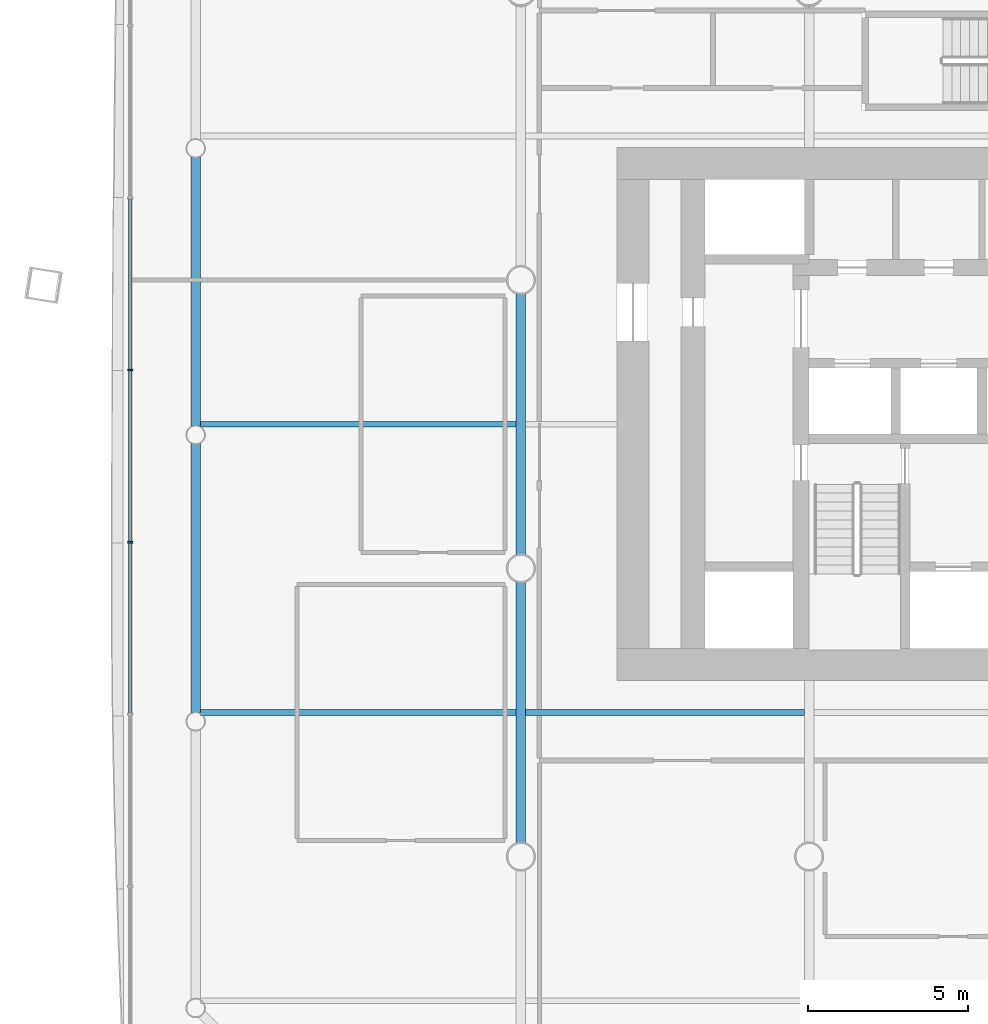
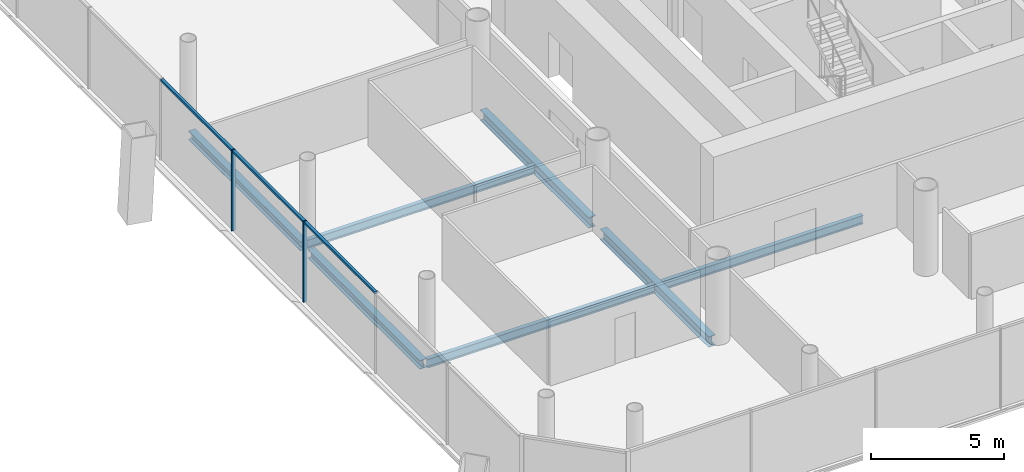
# One storey, part 4 of 22: 7 beams, 5 members, 1 element without a shape of its own.
"""IFC4 building model written with IfcOpenShell, lengths in metres."""

from ifc_helpers import new_model, si_unit, direction, frame, origin, origin_2d, place, context, subcontext, project, spatial, rectangle, i_section, extrude, material, material_profile, profile_set, type_object, element, aggregate, save


model = new_model("IFC4")

# Units and contexts
model_context = context("Model", 3, precision=1e-05, world=origin(), true_north=direction((0.0, 1.0)))
body_context = subcontext(model_context, "Body", "Model", "MODEL_VIEW")
ifc_project = project(units=[si_unit("LENGTHUNIT", "METRE"), si_unit("AREAUNIT", "SQUARE_METRE"), si_unit("VOLUMEUNIT", "CUBIC_METRE"), si_unit("PLANEANGLEUNIT", "RADIAN"), si_unit("MASSUNIT", "GRAM", prefix="KILO")], contexts=[model_context])

# Site, building, storey
site_placement = place(None, origin())
site = spatial("IfcSite", under=ifc_project, at=site_placement, CompositionType="ELEMENT")
building_placement = place(site_placement, origin())
building = spatial("IfcBuilding", under=site, at=building_placement, Name="Tskaro Facet Tower", CompositionType="ELEMENT")
storey_placement = place(building_placement, frame((0.0, 0.0, 30.300048828125)))
storey = spatial("IfcBuildingStorey", under=building, at=storey_placement, Name="L06", CompositionType="ELEMENT", Elevation=30.300048828125)

# Curtain wall, members
ifc_material_1 = material(Name="Bronze anodised aluminium 6063-T6", Category="aluminium")
curtain_wall_type = type_object("IfcCurtainWallType", Name="Bronze office curtain wall (FW1)", PredefinedType="NOTDEFINED", material=ifc_material_1)
curtain_wall_placement = place(storey_placement, origin())
curtain_wall = element("IfcCurtainWall", 1, at=curtain_wall_placement, inside=storey, type_object=curtain_wall_type, Name="FW1 west facet L06", PredefinedType="NOTDEFINED")
ifc_material_profile_1 = material_profile(ifc_material_1, rectangle(XDim=0.06005859375, YDim=0.159912109375, at=origin_2d()), Name="Mullion 60x160")
ifc_profile_set_1 = profile_set([ifc_material_profile_1], Name="Bronze anodised aluminium 6063-T6")
member_type_1 = type_object("IfcMemberType", Name="FW1 bronze mullion 60x160", PredefinedType="MULLION", material=ifc_profile_set_1)
member_1_placement = place(storey_placement, frame((-30.201904296875, -2.806884765625, 0.0), z_axis=(0.0, 0.0, 1.0), x_axis=(0.0, -1.0, 0.0)))
member_1 = element("IfcMember", 2, at=member_1_placement, type_object=member_type_1, Name="FW1 west mullion 5", PredefinedType="MULLION", context=body_context, shape_type="SweptSolid", body=[
    extrude(rectangle(XDim=0.06005859375, YDim=0.159912109375, at=origin_2d()), origin(), (0.0, 0.0, 1.0), 3.699951171875),
])
member_2_placement = place(storey_placement, frame((-30.201904296875, -8.181396484375, 0.0), z_axis=(0.0, 0.0, 1.0), x_axis=(0.0, -1.0, 0.0)))
member_2 = element("IfcMember", 3, at=member_2_placement, type_object=member_type_1, Name="FW1 west mullion 6", PredefinedType="MULLION", context=body_context, shape_type="SweptSolid", body=[
    extrude(rectangle(XDim=0.06005859375, YDim=0.159912109375, at=origin_2d()), origin(), (0.0, 0.0, 1.0), 3.699951171875),
])
ifc_material_profile_2 = material_profile(ifc_material_1, rectangle(XDim=0.1201171875, YDim=0.10009765625, at=origin_2d()), Name="Transom 120x100")
ifc_profile_set_2 = profile_set([ifc_material_profile_2], Name="Bronze anodised aluminium 6063-T6")
member_type_2 = type_object("IfcMemberType", Name="FW1 bronze transom 120x100", PredefinedType="USERDEFINED", material=ifc_profile_set_2)
member_3_placement = place(storey_placement, frame((-30.201904296875, 2.537841796875, 3.64990234375), z_axis=(0.0, -1.0, 0.0), x_axis=(1.0, 0.0, 0.0)))
member_3 = element("IfcMember", 4, at=member_3_placement, type_object=member_type_2, Name="FW1 west transom 5.1", ObjectType="TRANSOM", PredefinedType="USERDEFINED", context=body_context, shape_type="SweptSolid", body=[
    extrude(rectangle(XDim=0.1201171875, YDim=0.10009765625, at=origin_2d()), origin(), (0.0, 0.0, 1.0), 5.314697265625),
])
member_4_placement = place(storey_placement, frame((-30.201904296875, -2.836669921875, 3.64990234375), z_axis=(0.0, -1.0, 0.0), x_axis=(1.0, 0.0, 0.0)))
member_4 = element("IfcMember", 5, at=member_4_placement, type_object=member_type_2, Name="FW1 west transom 6.1", ObjectType="TRANSOM", PredefinedType="USERDEFINED", context=body_context, shape_type="SweptSolid", body=[
    extrude(rectangle(XDim=0.1201171875, YDim=0.10009765625, at=origin_2d()), origin(), (0.0, 0.0, 1.0), 5.314697265625),
])
member_5_placement = place(storey_placement, frame((-30.201904296875, -8.21142578125, 3.64990234375), z_axis=(0.0, -1.0, 0.0), x_axis=(1.0, 0.0, 0.0)))
member_5 = element("IfcMember", 6, at=member_5_placement, type_object=member_type_2, Name="FW1 west transom 7.1", ObjectType="TRANSOM", PredefinedType="USERDEFINED", context=body_context, shape_type="SweptSolid", body=[
    extrude(rectangle(XDim=0.1201171875, YDim=0.10009765625, at=origin_2d()), origin(), (0.0, 0.0, 1.0), 5.314453125),
])
aggregate(curtain_wall, [member_1, member_2, member_3, member_4, member_5])

# Beams
ifc_material_2 = material(Name="Steel S355J2", Category="steel")
ifc_material_profile_3 = material_profile(ifc_material_2, i_section(OverallWidth=0.300048828125, OverallDepth=0.39990234375, WebThickness=0.013427734375, FlangeThickness=0.02392578125, FilletRadius=0.027099609375, at=origin_2d()), Name="HE 400 B")
ifc_profile_set_3 = profile_set([ifc_material_profile_3], Name="Steel S355J2")
beam_type_1 = type_object("IfcBeamType", Name="HE 400 B ring beam", PredefinedType="BEAM", material=ifc_profile_set_3)
beam_1_placement = place(storey_placement, frame((-28.156982421875, 3.841064453125, -0.340087890625), z_axis=(0.0, -1.0, 0.0), x_axis=(1.0, 0.0, 0.0)))
element("IfcBeam", 7, at=beam_1_placement, inside=storey, type_object=beam_type_1, Name="HE 400 B EB22-1", PredefinedType="BEAM", context=body_context, shape_type="SweptSolid", body=[
    extrude(i_section(OverallWidth=0.300048828125, OverallDepth=0.39990234375, WebThickness=0.013427734375, FlangeThickness=0.02392578125, FilletRadius=0.027099609375, at=origin_2d()), origin(), (0.0, 0.0, 1.0), 8.399169921875),
])
beam_2_placement = place(storey_placement, frame((-28.156982421875, -5.10791015625, -0.340087890625), z_axis=(0.0, -1.0, 0.0), x_axis=(1.0, 0.0, 0.0)))
element("IfcBeam", 8, at=beam_2_placement, inside=storey, type_object=beam_type_1, Name="HE 400 B EB23-1", PredefinedType="BEAM", context=body_context, shape_type="SweptSolid", body=[
    extrude(i_section(OverallWidth=0.300048828125, OverallDepth=0.39990234375, WebThickness=0.013427734375, FlangeThickness=0.02392578125, FilletRadius=0.027099609375, at=origin_2d()), origin(), (0.0, 0.0, 1.0), 8.398193359375),
])
ifc_material_profile_4 = material_profile(ifc_material_2, i_section(OverallWidth=0.300048828125, OverallDepth=0.489990234375, WebThickness=0.011962890625, FlangeThickness=0.02294921875, FilletRadius=0.027099609375, at=origin_2d()), Name="HE 500 A")
ifc_profile_set_4 = profile_set([ifc_material_profile_4], Name="Steel S355J2")
beam_type_2 = type_object("IfcBeamType", Name="HE 500 A girder", PredefinedType="BEAM", material=ifc_profile_set_4)
for number, where, z_axis, x_axis, name in (
    (9, (-18.0, -17.57275390625, -0.385009765625), (0.0, 1.0, 0.0), (-1.0, 0.0, 0.0), "HE 500 A GB2-2-1"),
    (10, (-18.0, -8.57275390625, -0.385009765625), (0.0, 1.0, 0.0), (-1.0, 0.0, 0.0), "HE 500 A GB2-3-1"),
):
    element("IfcBeam", number, at=place(storey_placement, frame(where, z_axis=z_axis, x_axis=x_axis)), inside=storey, type_object=beam_type_2, Name=name, PredefinedType="BEAM", context=body_context, shape_type="SweptSolid", body=[
        extrude(i_section(OverallWidth=0.300048828125, OverallDepth=0.489990234375, WebThickness=0.011962890625, FlangeThickness=0.02294921875, FilletRadius=0.027099609375, at=origin_2d()), origin(), (0.0, 0.0, 1.0), 8.1455078125),
    ])
ifc_material_profile_5 = material_profile(ifc_material_2, i_section(OverallWidth=0.179931640625, OverallDepth=0.39990234375, WebThickness=0.008544921875, FlangeThickness=0.013427734375, FilletRadius=0.02099609375, at=origin_2d()), Name="IPE 400")
ifc_profile_set_5 = profile_set([ifc_material_profile_5], Name="Steel S355J2")
beam_type_3 = type_object("IfcBeamType", Name="IPE 400 secondary beam", PredefinedType="BEAM", material=ifc_profile_set_5)
beam_3_placement = place(storey_placement, frame((-28.007080078125, -13.5, -0.340087890625), z_axis=(1.0, 0.0, 0.0), x_axis=(0.0, 1.0, 0.0)))
element("IfcBeam", 11, at=beam_3_placement, inside=storey, type_object=beam_type_3, Name="IPE 400 SB2a-1-1", PredefinedType="BEAM", context=body_context, shape_type="SweptSolid", body=[
    extrude(i_section(OverallWidth=0.179931640625, OverallDepth=0.39990234375, WebThickness=0.008544921875, FlangeThickness=0.013427734375, FilletRadius=0.02099609375, at=origin_2d()), origin(), (0.0, 0.0, 1.0), 9.857177734375),
])
beam_4_placement = place(storey_placement, frame((-17.85009765625, -13.5, -0.340087890625), z_axis=(1.0, 0.0, 0.0), x_axis=(0.0, 1.0, 0.0)))
element("IfcBeam", 12, at=beam_4_placement, inside=storey, type_object=beam_type_3, Name="IPE 400 SB2a-2-1", PredefinedType="BEAM", context=body_context, shape_type="SweptSolid", body=[
    extrude(i_section(OverallWidth=0.179931640625, OverallDepth=0.39990234375, WebThickness=0.008544921875, FlangeThickness=0.013427734375, FilletRadius=0.02099609375, at=origin_2d()), origin(), (0.0, 0.0, 1.0), 8.7001953125),
])
beam_5_placement = place(storey_placement, frame((-28.007080078125, -4.5, -0.340087890625), z_axis=(1.0, 0.0, 0.0), x_axis=(0.0, 1.0, 0.0)))
element("IfcBeam", 13, at=beam_5_placement, inside=storey, type_object=beam_type_3, Name="IPE 400 SB3a-1-1", PredefinedType="BEAM", context=body_context, shape_type="SweptSolid", body=[
    extrude(i_section(OverallWidth=0.179931640625, OverallDepth=0.39990234375, WebThickness=0.008544921875, FlangeThickness=0.013427734375, FilletRadius=0.02099609375, at=origin_2d()), origin(), (0.0, 0.0, 1.0), 9.857177734375),
])

save(model, "model.ifc")
